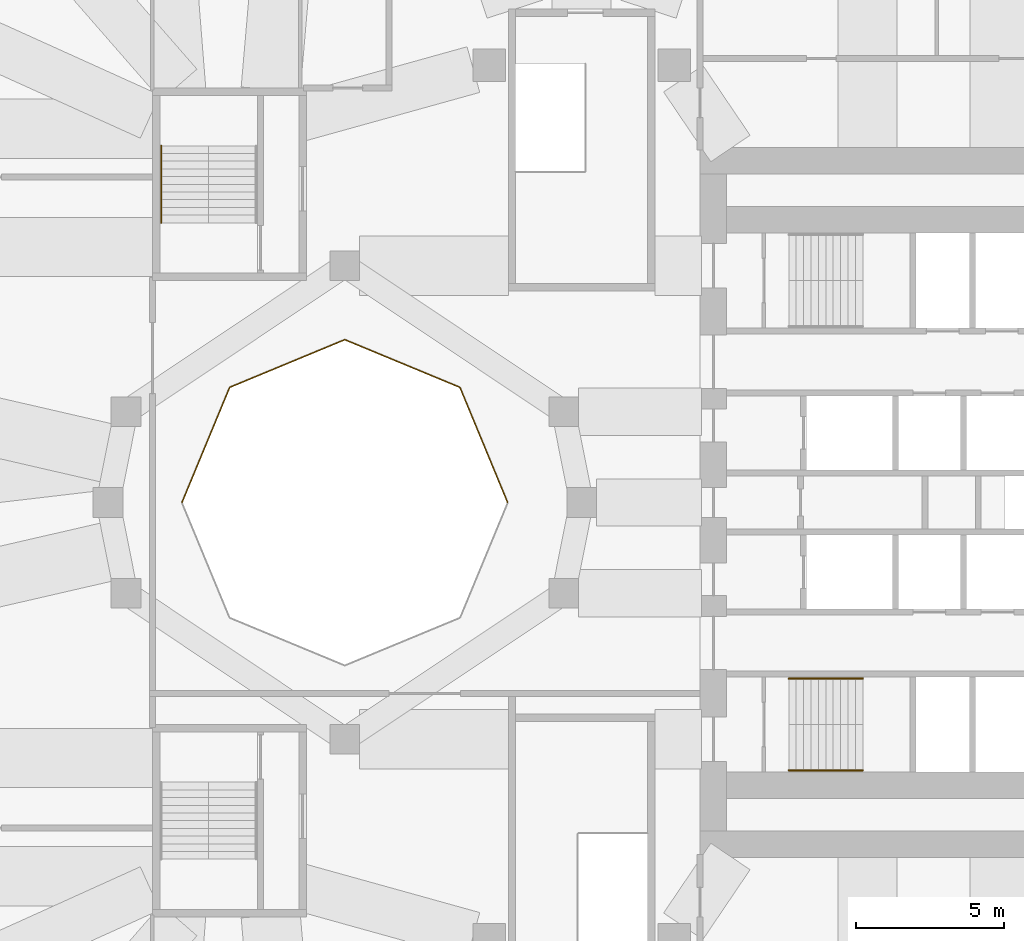
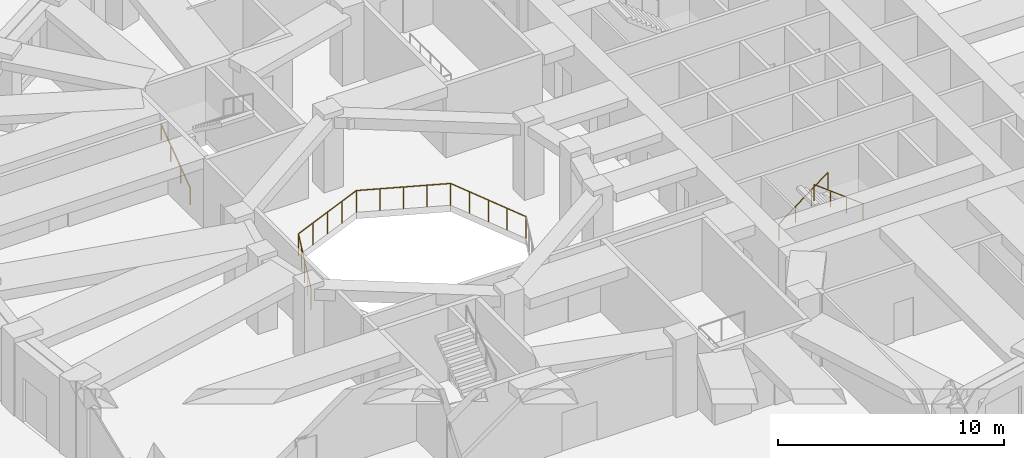
# One storey, part 11 of 17: 4 railings.
"""IFC4 building model written with IfcOpenShell, lengths in metres."""

from ifc_helpers import new_model, si_unit, direction, frame, origin, origin_2d, place, context, subcontext, project, spatial, circle, extrude, material, type_object, element, save


model = new_model("IFC4")

# Units and contexts
model_context = context("Model", 3, precision=1e-05, world=origin(), true_north=direction((0.0, 1.0)))
body_context = subcontext(model_context, "Body", "Model", "MODEL_VIEW")
ifc_project = project(units=[si_unit("LENGTHUNIT", "METRE"), si_unit("AREAUNIT", "SQUARE_METRE"), si_unit("VOLUMEUNIT", "CUBIC_METRE"), si_unit("PLANEANGLEUNIT", "RADIAN"), si_unit("MASSUNIT", "GRAM", prefix="KILO")], contexts=[model_context])

# Site, building, storey
site_placement = place(None, origin())
site = spatial("IfcSite", under=ifc_project, at=site_placement, CompositionType="ELEMENT")
building_placement = place(site_placement, origin())
building = spatial("IfcBuilding", under=site, at=building_placement, Name="Taillehof Tower", CompositionType="ELEMENT")
storey_placement = place(building_placement, frame((0.0, 0.0, 17.5)))
storey = spatial("IfcBuildingStorey", under=building, at=storey_placement, Name="L03", CompositionType="ELEMENT", Elevation=17.5)

# Railings
ifc_material_1 = material(Name="Stainless steel and laminated glass", Category="steel")
railing_type_1 = type_object("IfcRailingType", Name="Guard 1200 mm", PredefinedType="GUARDRAIL", material=ifc_material_1)
railing_1_placement = place(storey_placement, frame((-2.5, 0.0, 0.0)))
element("IfcRailing", 1, at=railing_1_placement, inside=storey, type_object=railing_type_1, Name="Guard atrium", PredefinedType="GUARDRAIL", context=body_context, shape_type="SweptSolid", body=[
    extrude(circle(Radius=0.02392578125, at=origin_2d()), frame((0.0, 0.0, 1.17578125), z_axis=(-0.38266253946, 0.923888186359, 0.0), x_axis=(-0.923888186359, -0.38266253946, 0.0)), (0.0, 0.0, 1.0), 4.20947265625),
    extrude(circle(Radius=0.02392578125, at=origin_2d()), frame((-1.61083984375, 3.88916015625, 1.17578125), z_axis=(-0.923888186359, 0.38266253946, 0.0), x_axis=(-0.38266253946, -0.923888186359, 0.0)), (0.0, 0.0, 1.0), 4.20947265625),
    extrude(circle(Radius=0.02392578125, at=origin_2d()), frame((-5.5, 5.5, 1.17578125), z_axis=(-0.923888186359, -0.38266253946, 0.0), x_axis=(0.38266253946, -0.923888186359, 0.0)), (0.0, 0.0, 1.0), 4.20947265625),
    extrude(circle(Radius=0.02392578125, at=origin_2d()), frame((-9.38916015625, 3.88916015625, 1.17578125), z_axis=(-0.38266253946, -0.923888186359, 0.0), x_axis=(0.923888186359, -0.38266253946, 0.0)), (0.0, 0.0, 1.0), 4.20947265625),
    extrude(circle(Radius=0.02099609375, at=origin_2d()), origin(), (0.0, 0.0, 1.0), 1.15185546875),
    extrude(circle(Radius=0.02099609375, at=origin_2d()), frame((-0.40283203125, 0.97216796875, 0.0)), (0.0, 0.0, 1.0), 1.15185546875),
    extrude(circle(Radius=0.02099609375, at=origin_2d()), frame((-0.805419921875, 1.944580078125, 0.0)), (0.0, 0.0, 1.0), 1.15185546875),
    extrude(circle(Radius=0.02099609375, at=origin_2d()), frame((-1.2080078125, 2.9169921875, 0.0)), (0.0, 0.0, 1.0), 1.15185546875),
    extrude(circle(Radius=0.02099609375, at=origin_2d()), frame((-1.61083984375, 3.88916015625, 0.0)), (0.0, 0.0, 1.0), 1.15185546875),
    extrude(circle(Radius=0.02099609375, at=origin_2d()), frame((-2.5830078125, 4.2919921875, 0.0)), (0.0, 0.0, 1.0), 1.15185546875),
    extrude(circle(Radius=0.02099609375, at=origin_2d()), frame((-3.555419921875, 4.694580078125, 0.0)), (0.0, 0.0, 1.0), 1.15185546875),
    extrude(circle(Radius=0.02099609375, at=origin_2d()), frame((-4.52783203125, 5.09716796875, 0.0)), (0.0, 0.0, 1.0), 1.15185546875),
    extrude(circle(Radius=0.02099609375, at=origin_2d()), frame((-5.5, 5.5, 0.0)), (0.0, 0.0, 1.0), 1.15185546875),
    extrude(circle(Radius=0.02099609375, at=origin_2d()), frame((-6.47216796875, 5.09716796875, 0.0)), (0.0, 0.0, 1.0), 1.15185546875),
    extrude(circle(Radius=0.02099609375, at=origin_2d()), frame((-7.444580078125, 4.694580078125, 0.0)), (0.0, 0.0, 1.0), 1.15185546875),
    extrude(circle(Radius=0.02099609375, at=origin_2d()), frame((-8.4169921875, 4.2919921875, 0.0)), (0.0, 0.0, 1.0), 1.15185546875),
    extrude(circle(Radius=0.02099609375, at=origin_2d()), frame((-9.38916015625, 3.88916015625, 0.0)), (0.0, 0.0, 1.0), 1.15185546875),
    extrude(circle(Radius=0.02099609375, at=origin_2d()), frame((-9.7919921875, 2.9169921875, 0.0)), (0.0, 0.0, 1.0), 1.15185546875),
    extrude(circle(Radius=0.02099609375, at=origin_2d()), frame((-10.194580078125, 1.944580078125, 0.0)), (0.0, 0.0, 1.0), 1.15185546875),
    extrude(circle(Radius=0.02099609375, at=origin_2d()), frame((-10.59716796875, 0.97216796875, 0.0)), (0.0, 0.0, 1.0), 1.15185546875),
    extrude(circle(Radius=0.02099609375, at=origin_2d()), frame((-11.0, 0.0, 0.0)), (0.0, 0.0, 1.0), 1.15185546875),
])
ifc_material_2 = material(Name="Stainless steel", Category="steel")
railing_type_2 = type_object("IfcRailingType", Name="Stair handrail 900", PredefinedType="HANDRAIL", material=ifc_material_2)
railing_2_placement = place(storey_placement, frame((7.0, -5.949951171875, 0.19091796875)))
element("IfcRailing", 2, at=railing_2_placement, inside=storey, type_object=railing_type_2, Name="Stair S2 handrail", PredefinedType="HANDRAIL", context=body_context, shape_type="SweptSolid", body=[
    extrude(circle(Radius=0.02392578125, at=origin_2d()), frame((0.0, 0.0, 0.8759765625), z_axis=(0.794754200304, 0.0, 0.60693143031), x_axis=(0.0, 1.0, 0.0)), (0.0, 0.0, 1.0), 3.1455078125),
    extrude(circle(Radius=0.02099609375, at=origin_2d()), origin(), (0.0, 0.0, 1.0), 0.851806640625),
    extrude(circle(Radius=0.02099609375, at=origin_2d()), frame((0.833251953125, 0.0, 0.636474609375)), (0.0, 0.0, 1.0), 0.851806640625),
    extrude(circle(Radius=0.02099609375, at=origin_2d()), frame((1.666748046875, 0.0, 1.272705078125)), (0.0, 0.0, 1.0), 0.851806640625),
    extrude(circle(Radius=0.02099609375, at=origin_2d()), frame((2.5, 0.0, 1.9091796875)), (0.0, 0.0, 1.0), 0.851806640625),
])
railing_3_placement = place(storey_placement, frame((9.5, -9.050048828125, 2.291015625)))
element("IfcRailing", 3, at=railing_3_placement, inside=storey, type_object=railing_type_2, Name="Stair S2 handrail", PredefinedType="HANDRAIL", context=body_context, shape_type="SweptSolid", body=[
    extrude(circle(Radius=0.02392578125, at=origin_2d()), frame((0.0, 0.0, 0.8759765625), z_axis=(-0.794791637926, 0.0, 0.606882403998), x_axis=(0.0, -1.0, 0.0)), (0.0, 0.0, 1.0), 3.1455078125),
    extrude(circle(Radius=0.02099609375, at=origin_2d()), origin(), (0.0, 0.0, 1.0), 0.851806640625),
    extrude(circle(Radius=0.02099609375, at=origin_2d()), frame((-0.833251953125, 0.0, 0.63623046875)), (0.0, 0.0, 1.0), 0.851806640625),
    extrude(circle(Radius=0.02099609375, at=origin_2d()), frame((-1.666748046875, 0.0, 1.272705078125)), (0.0, 0.0, 1.0), 0.851806640625),
    extrude(circle(Radius=0.02099609375, at=origin_2d()), frame((-2.5, 0.0, 1.908935546875)), (0.0, 0.0, 1.0), 0.851806640625),
])
railing_4_placement = place(storey_placement, frame((-14.199951171875, 9.449951171875, 0.19091796875)))
element("IfcRailing", 4, at=railing_4_placement, inside=storey, type_object=railing_type_2, Name="Stair S3 handrail", PredefinedType="HANDRAIL", context=body_context, shape_type="SweptSolid", body=[
    extrude(circle(Radius=0.02392578125, at=origin_2d()), frame((0.0, 0.0, 0.8759765625), z_axis=(0.0, 0.806043920681, 0.591855723918), x_axis=(-1.0, 0.0, 0.0)), (0.0, 0.0, 1.0), 3.225830078125),
    extrude(circle(Radius=0.02099609375, at=origin_2d()), origin(), (0.0, 0.0, 1.0), 0.851806640625),
    extrude(circle(Radius=0.02099609375, at=origin_2d()), frame((0.0, 0.86669921875, 0.636474609375)), (0.0, 0.0, 1.0), 0.851806640625),
    extrude(circle(Radius=0.02099609375, at=origin_2d()), frame((0.0, 1.7333984375, 1.272705078125)), (0.0, 0.0, 1.0), 0.851806640625),
    extrude(circle(Radius=0.02099609375, at=origin_2d()), frame((0.0, 2.60009765625, 1.9091796875)), (0.0, 0.0, 1.0), 0.851806640625),
])

save(model, "model.ifc")
